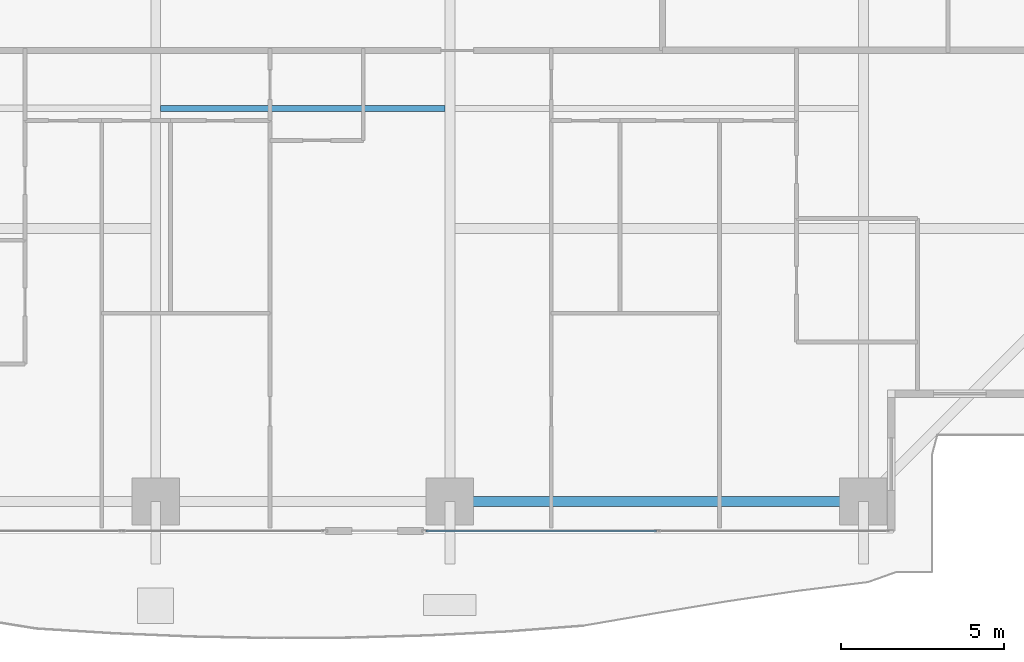
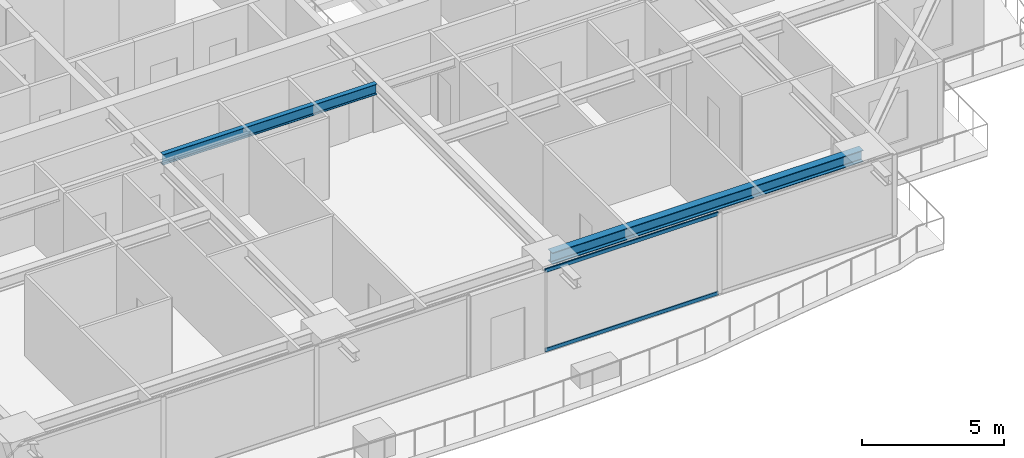
# One storey, part 10 of 39: 2 beams, 2 members, 1 element without a shape of its own.
"""IFC4 building model written with IfcOpenShell, lengths in metres."""

from ifc_helpers import new_model, si_unit, direction, frame, origin, origin_2d, place, context, subcontext, project, spatial, hollow_rectangle, i_section, extrude, source, transform, mapped, material, layer, layer_set, material_profile, profile_set, type_object, element, aggregate, save


model = new_model("IFC4")

# Units and contexts
model_context = context("Model", 3, precision=1e-05, world=origin(), true_north=direction((0.0, 1.0)))
body_context = subcontext(model_context, "Body", "Model", "MODEL_VIEW")
ifc_project = project(units=[si_unit("LENGTHUNIT", "METRE"), si_unit("AREAUNIT", "SQUARE_METRE"), si_unit("VOLUMEUNIT", "CUBIC_METRE"), si_unit("PLANEANGLEUNIT", "RADIAN"), si_unit("MASSUNIT", "GRAM", prefix="KILO")], contexts=[model_context])

# Site, building, storey
site_placement = place(None, origin())
site = spatial("IfcSite", under=ifc_project, at=site_placement, CompositionType="ELEMENT")
building_placement = place(site_placement, origin())
building = spatial("IfcBuilding", under=site, at=building_placement, Name="Serunith Strait Residences", CompositionType="ELEMENT")
storey_placement = place(building_placement, frame((0.0, 0.0, 94.199951171875)))
storey = spatial("IfcBuildingStorey", under=building, at=storey_placement, Name="L23", CompositionType="ELEMENT", Elevation=94.199951171875)

# Beams
ifc_material_1 = material(Name="Steel S355J2", Category="steel")
ifc_material_profile_1 = material_profile(ifc_material_1, i_section(OverallWidth=0.300048828125, OverallDepth=0.5, WebThickness=0.014404296875, FlangeThickness=0.028076171875, FilletRadius=0.027099609375, at=origin_2d()), Name="HEB 500")
ifc_profile_set_1 = profile_set([ifc_material_profile_1], Name="Steel S355J2")
beam_type_1 = type_object("IfcBeamType", Name="BM-HEB500", PredefinedType="BEAM", material=ifc_profile_set_1)
shared_shape_1 = source(origin(), body_context, "Body", "SweptSolid", [
    extrude(i_section(OverallWidth=0.300048828125, OverallDepth=0.5, WebThickness=0.014404296875, FlangeThickness=0.028076171875, FilletRadius=0.027099609375, at=origin_2d()), origin(), (0.0, 0.0, 1.0), 12.650146484375),
])
beam_1_placement = place(storey_placement, frame((36.89990234375, 1.10009765625, 3.237060546875), z_axis=(1.0, 0.0, 0.0), x_axis=(0.0, 1.0, 0.0)))
element("IfcBeam", 1, at=beam_1_placement, inside=storey, type_object=beam_type_1, Name="L23 Perimeter Ring Beam 03", PredefinedType="BEAM", context=body_context, shape_type="MappedRepresentation", body=[
    mapped(shared_shape_1, transform((0.0, 0.0, 0.0), scale=1.0)),
])
ifc_material_profile_2 = material_profile(ifc_material_1, i_section(OverallWidth=0.18994140625, OverallDepth=0.449951171875, WebThickness=0.009521484375, FlangeThickness=0.0146484375, FilletRadius=0.02099609375, at=origin_2d()), Name="IPE 450")
ifc_profile_set_2 = profile_set([ifc_material_profile_2], Name="Steel S355J2")
beam_type_2 = type_object("IfcBeamType", Name="BM-IPE450", PredefinedType="JOIST", material=ifc_profile_set_2)
shared_shape_2 = source(origin(), body_context, "Body", "SweptSolid", [
    extrude(i_section(OverallWidth=0.18994140625, OverallDepth=0.449951171875, WebThickness=0.009521484375, FlangeThickness=0.0146484375, FilletRadius=0.02099609375, at=origin_2d()), origin(), (0.0, 0.0, 1.0), 8.699951171875),
])
beam_2_placement = place(storey_placement, frame((28.050048828125, 13.125, 3.261962890625), z_axis=(1.0, 0.0, 0.0), x_axis=(0.0, 1.0, 0.0)))
element("IfcBeam", 2, at=beam_2_placement, inside=storey, type_object=beam_type_2, Name="L23 Composite Floor Joist 02", PredefinedType="JOIST", context=body_context, shape_type="MappedRepresentation", body=[
    mapped(shared_shape_2, transform((0.0, 0.0, 0.0), scale=1.0)),
])

# Curtain wall, members
ifc_material_2 = material(Name="Pale-Champagne Anodised Aluminium", Category="aluminium")
ifc_layer = layer(ifc_material_2, 0.199951171875, Name="Pale-Champagne Anodised Aluminium")
ifc_layer_set = layer_set([ifc_layer], Name="Pale-Champagne Anodised Aluminium")
curtain_wall_type = type_object("IfcCurtainWallType", Name="CW-SYS1", PredefinedType="NOTDEFINED", material=ifc_layer_set)
curtain_wall_placement = place(storey_placement, origin())
curtain_wall = element("IfcCurtainWall", 3, at=curtain_wall_placement, inside=storey, type_object=curtain_wall_type, Name="L23 S Unitised Fritted Curtain Wall", PredefinedType="NOTDEFINED")
ifc_material_profile_3 = material_profile(ifc_material_2, hollow_rectangle(XDim=0.06005859375, YDim=0.159912109375, WallThickness=0.00341796875, InnerFilletRadius=0.00537109375, OuterFilletRadius=0.0087890625, at=origin_2d()), Name="ALU 160x60x3.5")
ifc_profile_set_3 = profile_set([ifc_material_profile_3], Name="Pale-Champagne Anodised Aluminium")
member_type = type_object("IfcMemberType", Name="CW-SYS1-TRAN", PredefinedType="USERDEFINED", material=ifc_profile_set_3)
shared_shape_3 = source(origin(), body_context, "Body", "SweptSolid", [
    extrude(hollow_rectangle(XDim=0.06005859375, YDim=0.159912109375, WallThickness=0.00341796875, InnerFilletRadius=0.00537109375, OuterFilletRadius=0.0087890625, at=origin_2d()), origin(), (0.0, 0.0, 1.0), 7.045166015625),
])
member_1_placement = place(storey_placement, frame((36.169921875, 0.199951171875, 0.030029296875), z_axis=(1.0, 0.0, 0.0), x_axis=(0.0, 1.0, 0.0)))
member_1 = element("IfcMember", 4, at=member_1_placement, type_object=member_type, Name="CW-1 transom 1.1", ObjectType="TRANSOM", PredefinedType="USERDEFINED", context=body_context, shape_type="MappedRepresentation", body=[
    mapped(shared_shape_3, transform((0.0, 0.0, 0.0), scale=1.0)),
])
member_2_placement = place(storey_placement, frame((36.169921875, 0.199951171875, 3.445068359375), z_axis=(1.0, 0.0, 0.0), x_axis=(0.0, 1.0, 0.0)))
member_2 = element("IfcMember", 5, at=member_2_placement, type_object=member_type, Name="CW-1 transom 1.2", ObjectType="TRANSOM", PredefinedType="USERDEFINED", context=body_context, shape_type="MappedRepresentation", body=[
    mapped(shared_shape_3, transform((0.0, 0.0, 0.0), scale=1.0)),
])
aggregate(curtain_wall, [member_1, member_2])

save(model, "model.ifc")
